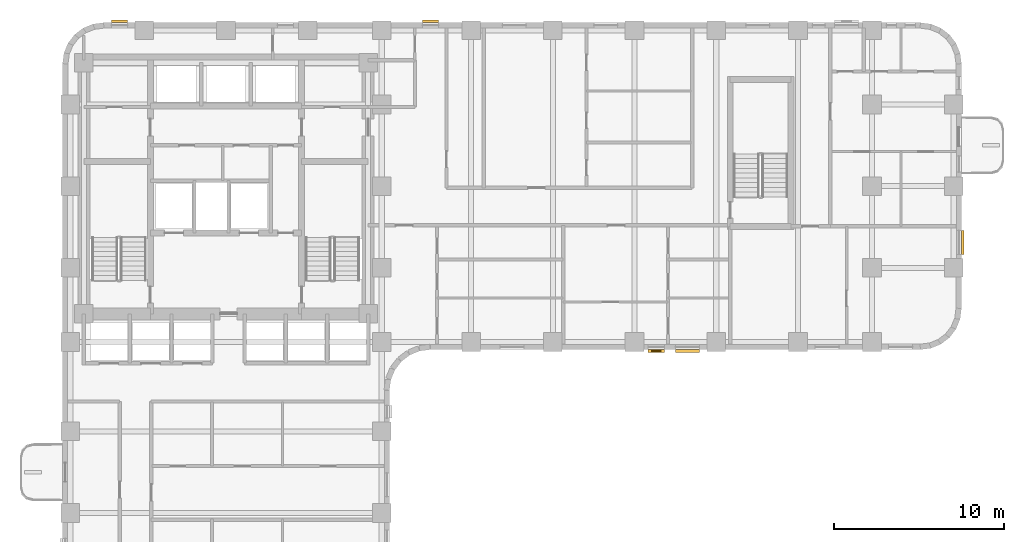
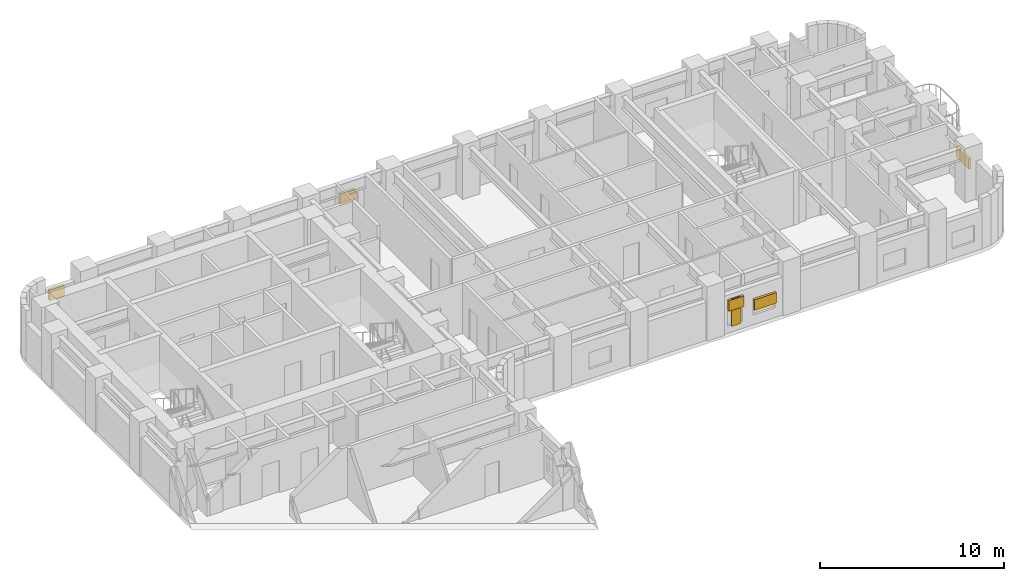
# One storey, part 9 of 10: 6 shading devices.
"""IFC4 building model written with IfcOpenShell, lengths in metres."""

from ifc_helpers import new_model, si_unit, direction, frame, origin, origin_2d, place, context, subcontext, project, spatial, rectangle, extrude, material, type_object, element, save


model = new_model("IFC4")

# Units and contexts
model_context = context("Model", 3, precision=1e-05, world=origin(), true_north=direction((0.0, 1.0)))
body_context = subcontext(model_context, "Body", "Model", "MODEL_VIEW")
ifc_project = project(units=[si_unit("LENGTHUNIT", "METRE"), si_unit("AREAUNIT", "SQUARE_METRE"), si_unit("VOLUMEUNIT", "CUBIC_METRE"), si_unit("PLANEANGLEUNIT", "RADIAN"), si_unit("MASSUNIT", "GRAM", prefix="KILO")], contexts=[model_context])

# Site, building, storey
site_placement = place(None, origin())
site = spatial("IfcSite", under=ifc_project, at=site_placement, CompositionType="ELEMENT")
building_placement = place(site_placement, origin())
building = spatial("IfcBuilding", under=site, at=building_placement, Name="Orvandelia Arch Residences", CompositionType="ELEMENT")
storey_placement = place(building_placement, frame((0.0, 0.0, 68.199951171875)))
storey = spatial("IfcBuildingStorey", under=building, at=storey_placement, Name="L17", CompositionType="ELEMENT", Elevation=68.199951171875)

# Shading devices
ifc_material_1 = material(Name="Anodised Champagne-Bronze Extruded Aluminium", Category="aluminium")
shading_device_type_1 = type_object("IfcShadingDeviceType", Name="SHD-JALOUSIE-SCREEN", PredefinedType="JALOUSIE", material=ifc_material_1)
for number, where, z_axis, x_axis, name in (
    (1, (26.4150390625, 48.080078125, 1.55029296875), (0.0, 0.0, 1.0), (1.0, 0.0, 0.0), "Bronze Jalousie Sun-Shade L17-001"),
    (2, (8.14501953125, 48.080078125, 1.55029296875), (0.0, 0.0, 1.0), (1.0, 0.0, 0.0), "Bronze Jalousie Sun-Shade L17-002"),
):
    element("IfcShadingDevice", number, at=place(storey_placement, frame(where, z_axis=z_axis, x_axis=x_axis)), inside=storey, type_object=shading_device_type_1, Name=name, PredefinedType="JALOUSIE", context=body_context, shape_type="SweptSolid", body=[
        extrude(rectangle(XDim=0.949951171875, YDim=0.159912109375, at=origin_2d()), origin(), (0.0, 0.0, 1.0), 0.699951171875),
    ])
for number, where, z_axis, x_axis, name in (
    (3, (57.679931640625, 35.10009765625, 1.05029296875), (0.0, 0.0, 1.0), (0.0, -1.0, 0.0), "Bronze Jalousie Sun-Shade L17-004"),
    (4, (41.49951171875, 28.719970703125, 1.05029296875), (0.0, 0.0, 1.0), (-1.0, 0.0, 0.0), "Bronze Jalousie Sun-Shade L17-005"),
):
    element("IfcShadingDevice", number, at=place(storey_placement, frame(where, z_axis=z_axis, x_axis=x_axis)), inside=storey, type_object=shading_device_type_1, Name=name, PredefinedType="JALOUSIE", context=body_context, shape_type="SweptSolid", body=[
        extrude(rectangle(XDim=1.39990234375, YDim=0.159912109375, at=origin_2d()), origin(), (0.0, 0.0, 1.0), 0.699951171875),
    ])
shading_device_1_placement = place(storey_placement, frame((39.66943359375, 28.719970703125, 1.55029296875), z_axis=(0.0, 0.0, 1.0), x_axis=(-1.0, 0.0, 0.0)))
element("IfcShadingDevice", 5, at=shading_device_1_placement, inside=storey, type_object=shading_device_type_1, Name="Bronze Jalousie Sun-Shade L17-006", PredefinedType="JALOUSIE", context=body_context, shape_type="SweptSolid", body=[
    extrude(rectangle(XDim=0.949951171875, YDim=0.159912109375, at=origin_2d()), origin(), (0.0, 0.0, 1.0), 0.699951171875),
])
ifc_material_2 = material(Name="Marine-Grade Perforated Aluminium Storm Shutter", Category="aluminium")
shading_device_type_2 = type_object("IfcShadingDeviceType", Name="SHD-STORM-SHUTTER", PredefinedType="SHUTTER", material=ifc_material_2)
shading_device_2_placement = place(storey_placement, frame((39.66943359375, 28.719970703125, 0.4501953125), z_axis=(0.0, 0.0, 1.0), x_axis=(-1.0, 0.0, 0.0)))
element("IfcShadingDevice", 6, at=shading_device_2_placement, inside=storey, type_object=shading_device_type_2, Name="Operable Typhoon Storm Shutter L17-006", PredefinedType="SHUTTER", context=body_context, shape_type="SweptSolid", body=[
    extrude(rectangle(XDim=0.550048828125, YDim=0.080078125, at=origin_2d()), origin(), (0.0, 0.0, 1.0), 1.800048828125),
])

save(model, "model.ifc")
